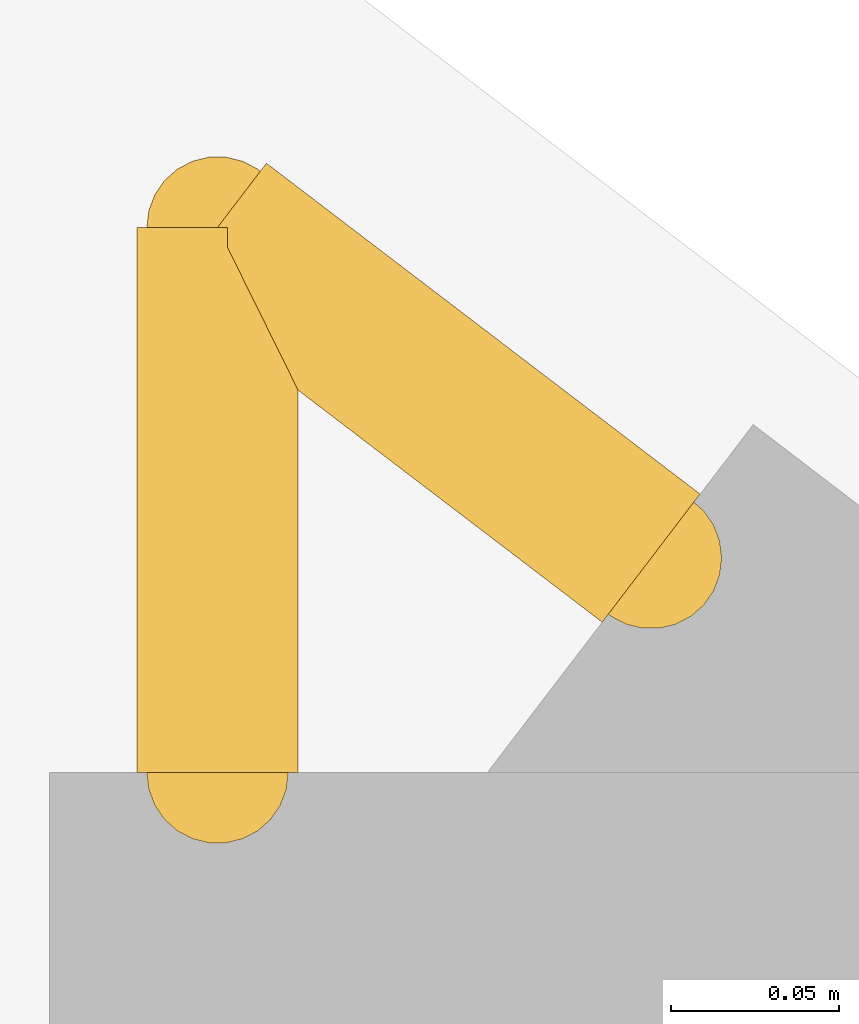
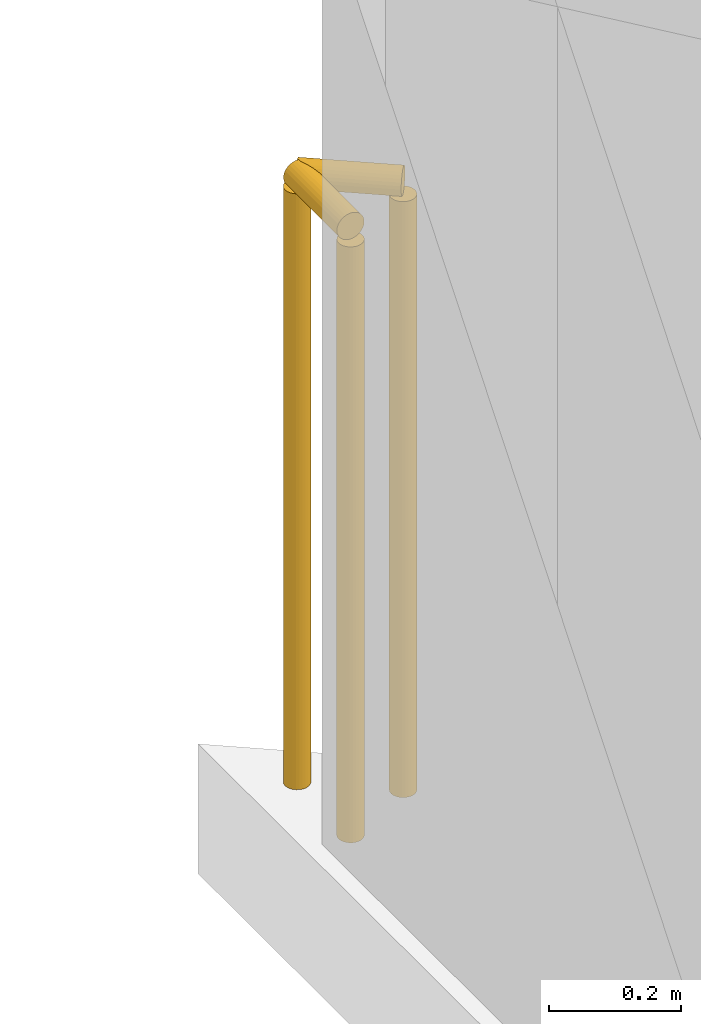
# One storey, part 16 of 16: 2 railings.
"""IFC4 building model written with IfcOpenShell, lengths in metres."""

from ifc_helpers import new_model, si_unit, direction, frame, origin, origin_2d, place, context, subcontext, project, spatial, circle, extrude, material, type_object, element, save


model = new_model("IFC4")

# Units and contexts
model_context = context("Model", 3, precision=1e-05, world=origin(), true_north=direction((0.0, 1.0)))
body_context = subcontext(model_context, "Body", "Model", "MODEL_VIEW")
ifc_project = project(units=[si_unit("LENGTHUNIT", "METRE"), si_unit("AREAUNIT", "SQUARE_METRE"), si_unit("VOLUMEUNIT", "CUBIC_METRE"), si_unit("PLANEANGLEUNIT", "RADIAN"), si_unit("MASSUNIT", "GRAM", prefix="KILO")], contexts=[model_context])

# Site, building, storey
site_placement = place(None, origin())
site = spatial("IfcSite", under=ifc_project, at=site_placement, CompositionType="ELEMENT")
building_placement = place(site_placement, origin())
building = spatial("IfcBuilding", under=site, at=building_placement, Name="Varnakote Quay Hospital", CompositionType="ELEMENT")
storey_placement = place(building_placement, frame((0.0, 0.0, 280.25)))
storey = spatial("IfcBuildingStorey", under=building, at=storey_placement, Name="L69", CompositionType="ELEMENT", Elevation=280.25)

# Railings
ifc_material = material(Name="Anodised aluminium 6063-T6 Bronze", Category="aluminium")
railing_type = type_object("IfcRailingType", Name="RLG-EXT-GUARD-1150", PredefinedType="GUARDRAIL", material=ifc_material)
railing_1_placement = place(storey_placement, frame((2.3798828125, 40.67626953125, 0.0)))
element("IfcRailing", 1, at=railing_1_placement, inside=storey, type_object=railing_type, Name="L69 Slab Edge Perimeter Safety Guard", PredefinedType="GUARDRAIL", context=body_context, shape_type="SweptSolid", body=[
    extrude(circle(Radius=0.02392578125, at=origin_2d()), frame((0.0, 0.0, 1.1259765625), z_axis=(0.0, 1.0, 0.0), x_axis=(-1.0, 0.0, 0.0)), (0.0, 0.0, 1.0), 0.161865234375),
    extrude(circle(Radius=0.02099609375, at=origin_2d()), origin(), (0.0, 0.0, 1.0), 1.101806640625),
    extrude(circle(Radius=0.02099609375, at=origin_2d()), frame((0.0, 0.161865234375, 0.0)), (0.0, 0.0, 1.0), 1.101806640625),
])
railing_2_placement = place(storey_placement, frame((2.3798828125, 40.838134765625, 0.0)))
element("IfcRailing", 2, at=railing_2_placement, inside=storey, type_object=railing_type, Name="L69 Slab Edge Perimeter Safety Guard", PredefinedType="GUARDRAIL", context=body_context, shape_type="SweptSolid", body=[
    extrude(circle(Radius=0.02392578125, at=origin_2d()), frame((0.0, 0.0, 1.1259765625), z_axis=(0.795085260009, -0.606497674618, 0.0), x_axis=(0.606497674618, 0.795085260009, 0.0)), (0.0, 0.0, 1.0), 0.161865234375),
    extrude(circle(Radius=0.02099609375, at=origin_2d()), origin(), (0.0, 0.0, 1.0), 1.101806640625),
    extrude(circle(Radius=0.02099609375, at=origin_2d()), frame((0.128662109375, -0.09814453125, 0.0)), (0.0, 0.0, 1.0), 1.101806640625),
])

save(model, "model.ifc")
